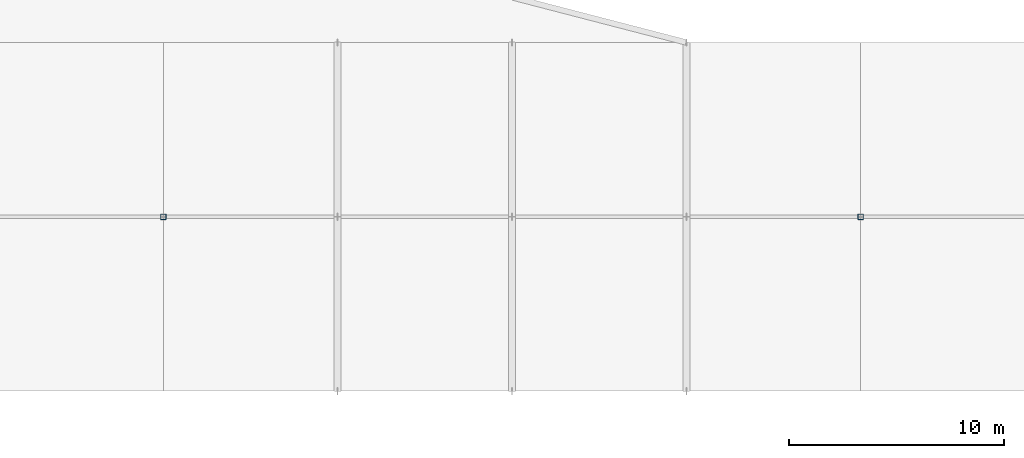
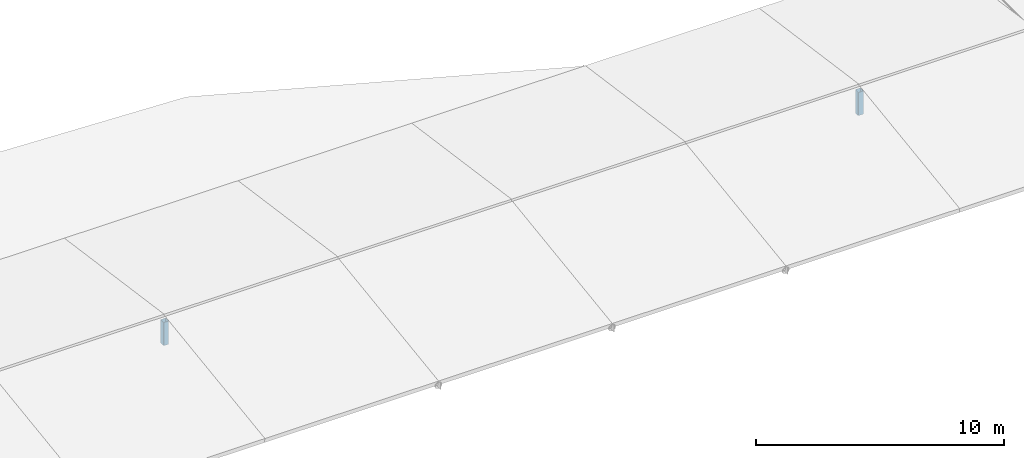
# One storey, part 2 of 70: 2 columns.
"""IFC4 building model written with IfcOpenShell, lengths in metres."""

from ifc_helpers import new_model, si_unit, direction, frame, origin, origin_2d, place, context, subcontext, project, spatial, hollow_rectangle, extrude, material, material_profile, profile_set, type_object, element, save


model = new_model("IFC4")

# Units and contexts
model_context = context("Model", 3, precision=1e-05, world=origin(), true_north=direction((0.0, 1.0)))
body_context = subcontext(model_context, "Body", "Model", "MODEL_VIEW")
ifc_project = project(units=[si_unit("LENGTHUNIT", "METRE"), si_unit("AREAUNIT", "SQUARE_METRE"), si_unit("VOLUMEUNIT", "CUBIC_METRE"), si_unit("PLANEANGLEUNIT", "RADIAN"), si_unit("MASSUNIT", "GRAM", prefix="KILO")], contexts=[model_context])

# Site, building, storey
site_placement = place(None, origin())
site = spatial("IfcSite", under=ifc_project, at=site_placement, CompositionType="ELEMENT")
building_placement = place(site_placement, origin())
building = spatial("IfcBuilding", under=site, at=building_placement, Name="Vaudrelin Polytechnic", CompositionType="ELEMENT")
storey_placement = place(building_placement, frame((0.0, 0.0, 14.110107421875)))
storey = spatial("IfcBuildingStorey", under=building, at=storey_placement, Name="L03", CompositionType="ELEMENT", Elevation=14.110107421875)

# Columns
ifc_material = material(Name="Steel CSA G40.21 350W", Category="steel")
ifc_material_profile = material_profile(ifc_material, hollow_rectangle(XDim=0.25390625, YDim=0.25390625, WallThickness=0.0126953125, InnerFilletRadius=0.0126953125, OuterFilletRadius=0.025390625, at=origin_2d()), Name="HSS254x254x12.7")
ifc_profile_set = profile_set([ifc_material_profile], Name="Steel CSA G40.21 350W")
column_type = type_object("IfcColumnType", Name="COL-C-HSS254", PredefinedType="COLUMN", material=ifc_profile_set)
for number, where, z_axis, x_axis, name in (
    (1, (89.10009765625, 40.5, 0.0), (0.0, 0.0, 1.0), (1.0, 0.0, 0.0), "Winter-garden ridge king-post 11"),
    (2, (121.5, 40.5, 0.0), (0.0, 0.0, 1.0), (1.0, 0.0, 0.0), "Winter-garden ridge king-post 15"),
):
    element("IfcColumn", number, at=place(storey_placement, frame(where, z_axis=z_axis, x_axis=x_axis)), inside=storey, type_object=column_type, Name=name, PredefinedType="COLUMN", context=body_context, shape_type="SweptSolid", body=[
        extrude(hollow_rectangle(XDim=0.25390625, YDim=0.25390625, WallThickness=0.0126953125, InnerFilletRadius=0.0126953125, OuterFilletRadius=0.025390625, at=origin_2d()), origin(), (0.0, 0.0, 1.0), 1.13818359375),
    ])

save(model, "model.ifc")
